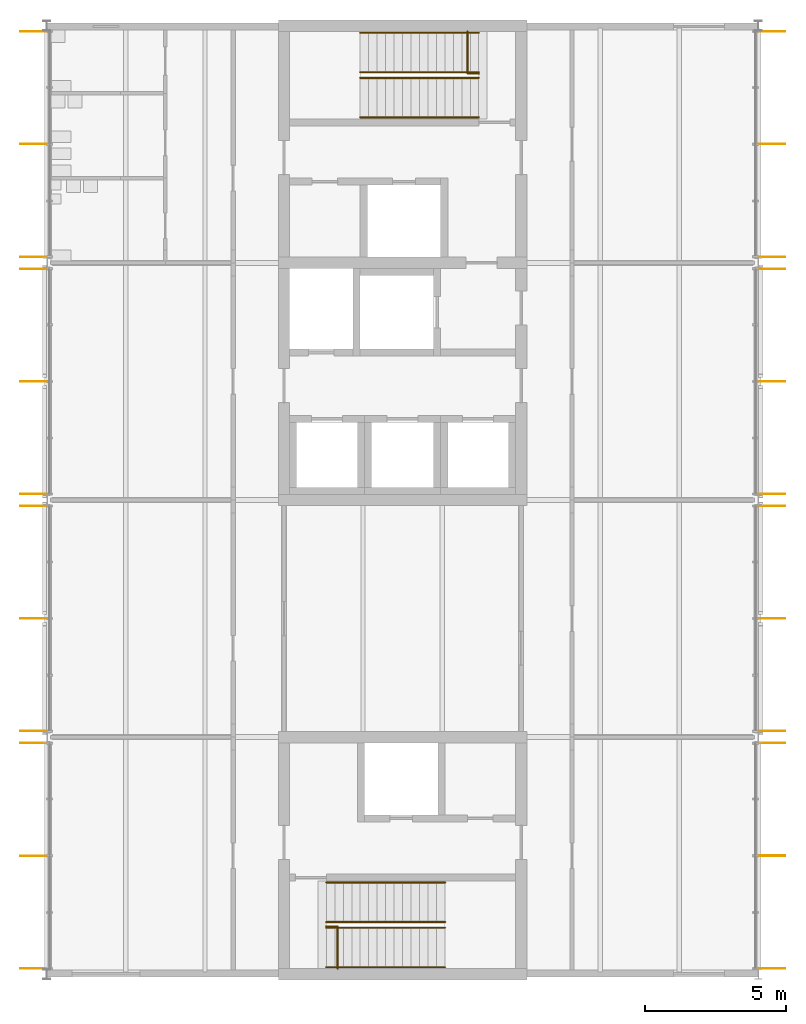
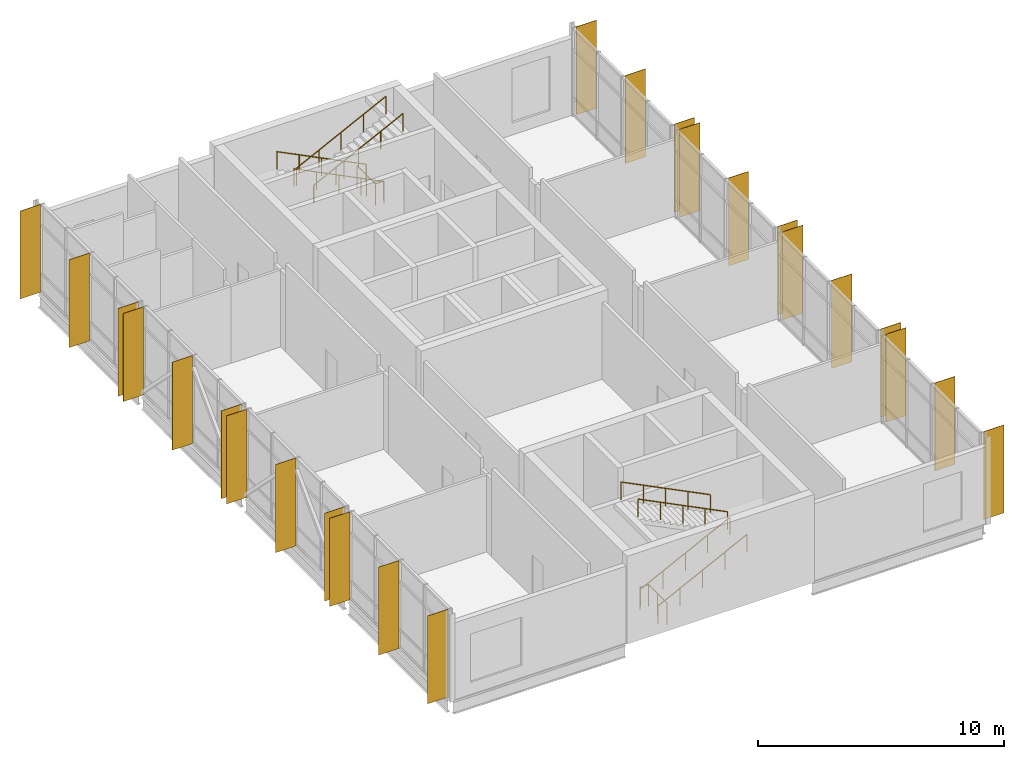
# One storey, part 16 of 17: 24 shading devices, 10 railings.
"""IFC4 building model written with IfcOpenShell, lengths in metres."""

from ifc_helpers import new_model, si_unit, direction, frame, origin, origin_2d, place, context, subcontext, project, spatial, rectangle, circle, extrude, material, layer, layer_set, type_object, element, save


model = new_model("IFC4")

# Units and contexts
model_context = context("Model", 3, precision=1e-05, world=origin(), true_north=direction((0.0, 1.0)))
body_context = subcontext(model_context, "Body", "Model", "MODEL_VIEW")
ifc_project = project(units=[si_unit("LENGTHUNIT", "METRE"), si_unit("AREAUNIT", "SQUARE_METRE"), si_unit("VOLUMEUNIT", "CUBIC_METRE"), si_unit("PLANEANGLEUNIT", "RADIAN"), si_unit("MASSUNIT", "GRAM", prefix="KILO")], contexts=[model_context])

# Site, building, storey
site_placement = place(None, origin())
site = spatial("IfcSite", under=ifc_project, at=site_placement, CompositionType="ELEMENT")
building_placement = place(site_placement, origin())
building = spatial("IfcBuilding", under=site, at=building_placement, Name="Hlaing Beacon Police Headquarters", CompositionType="ELEMENT")
storey_placement = place(building_placement, frame((0.0, 0.0, 36.89990234375)))
storey = spatial("IfcBuildingStorey", under=building, at=storey_placement, Name="L08", CompositionType="ELEMENT", Elevation=36.89990234375)

# Shading devices
ifc_material_1 = material(Name="Aluminium 6063-T5 anodised", Category="aluminium")
ifc_layer = layer(ifc_material_1, 0.02001953125)
ifc_layer_set = layer_set([ifc_layer], Name="Aluminium 6063-T5 anodised")
shading_device_type = type_object("IfcShadingDeviceType", Name="Aluminium fin 20x950", PredefinedType="JALOUSIE", material=ifc_layer_set)
for number, where, z_axis, x_axis, name in (
    (1, (126.47509765625, 33.8115234375, 0.0), (0.0, 0.0, 1.0), (0.0, 1.0, 0.0), "Fin L08 E001.0"),
    (2, (126.47509765625, 37.800048828125, 0.0), (0.0, 0.0, 1.0), (0.0, 1.0, 0.0), "Fin L08 E001.2"),
    (3, (126.47509765625, 41.788330078125, 0.0), (0.0, 0.0, 1.0), (0.0, 1.0, 0.0), "Fin L08 E001.4"),
    (4, (126.47509765625, 42.211669921875, 0.0), (0.0, 0.0, 1.0), (0.0, 1.0, 0.0), "Fin L08 E002.0"),
    (5, (126.47509765625, 46.199951171875, 0.0), (0.0, 0.0, 1.0), (0.0, 1.0, 0.0), "Fin L08 E002.2"),
    (6, (126.47509765625, 50.1884765625, 0.0), (0.0, 0.0, 1.0), (0.0, 1.0, 0.0), "Fin L08 E002.4"),
    (7, (126.47509765625, 50.611572265625, 0.0), (0.0, 0.0, 1.0), (0.0, 1.0, 0.0), "Fin L08 E003.0"),
    (8, (126.47509765625, 54.60009765625, 0.0), (0.0, 0.0, 1.0), (0.0, 1.0, 0.0), "Fin L08 E003.2"),
    (9, (126.47509765625, 58.58837890625, 0.0), (0.0, 0.0, 1.0), (0.0, 1.0, 0.0), "Fin L08 E003.4"),
    (10, (126.47509765625, 59.01171875, 0.0), (0.0, 0.0, 1.0), (0.0, 1.0, 0.0), "Fin L08 E004.0"),
    (11, (126.47509765625, 63.00244140625, 0.0), (0.0, 0.0, 1.0), (0.0, 1.0, 0.0), "Fin L08 E004.2"),
    (12, (126.47509765625, 66.993408203125, 0.0), (0.0, 0.0, 1.0), (0.0, 1.0, 0.0), "Fin L08 E004.4"),
    (13, (100.324951171875, 66.993408203125, 0.0), (0.0, 0.0, 1.0), (0.0, -1.0, 0.0), "Fin L08 W005.0"),
    (14, (100.324951171875, 63.00244140625, 0.0), (0.0, 0.0, 1.0), (0.0, -1.0, 0.0), "Fin L08 W005.2"),
    (15, (100.324951171875, 59.01171875, 0.0), (0.0, 0.0, 1.0), (0.0, -1.0, 0.0), "Fin L08 W005.4"),
    (16, (100.324951171875, 58.58837890625, 0.0), (0.0, 0.0, 1.0), (0.0, -1.0, 0.0), "Fin L08 W006.0"),
    (17, (100.324951171875, 54.60009765625, 0.0), (0.0, 0.0, 1.0), (0.0, -1.0, 0.0), "Fin L08 W006.2"),
    (18, (100.324951171875, 50.611572265625, 0.0), (0.0, 0.0, 1.0), (0.0, -1.0, 0.0), "Fin L08 W006.4"),
    (19, (100.324951171875, 50.1884765625, 0.0), (0.0, 0.0, 1.0), (0.0, -1.0, 0.0), "Fin L08 W007.0"),
    (20, (100.324951171875, 46.199951171875, 0.0), (0.0, 0.0, 1.0), (0.0, -1.0, 0.0), "Fin L08 W007.2"),
    (21, (100.324951171875, 42.211669921875, 0.0), (0.0, 0.0, 1.0), (0.0, -1.0, 0.0), "Fin L08 W007.4"),
    (22, (100.324951171875, 41.788330078125, 0.0), (0.0, 0.0, 1.0), (0.0, -1.0, 0.0), "Fin L08 W008.0"),
    (23, (100.324951171875, 37.79736328125, 0.0), (0.0, 0.0, 1.0), (0.0, -1.0, 0.0), "Fin L08 W008.2"),
    (24, (100.324951171875, 33.806396484375, 0.0), (0.0, 0.0, 1.0), (0.0, -1.0, 0.0), "Fin L08 W008.4"),
):
    element("IfcShadingDevice", number, at=place(storey_placement, frame(where, z_axis=z_axis, x_axis=x_axis)), inside=storey, type_object=shading_device_type, Name=name, PredefinedType="JALOUSIE", context=body_context, shape_type="SweptSolid", body=[
        extrude(rectangle(XDim=0.02001953125, YDim=0.949951171875, at=origin_2d()), origin(), (0.0, 0.0, 1.0), 4.3701171875),
    ])

# Railings
ifc_material_2 = material(Name="Stainless steel", Category="steel")
railing_type_1 = type_object("IfcRailingType", Name="Stair guard 1100", PredefinedType="GUARDRAIL", material=ifc_material_2)
railing_1_placement = place(storey_placement, frame((115.699951171875, 67.0, 0.0)))
element("IfcRailing", 25, at=railing_1_placement, inside=storey, type_object=railing_type_1, Name="Guard ST-M", PredefinedType="GUARDRAIL", context=body_context, shape_type="SweptSolid", body=[
    extrude(circle(Radius=0.02392578125, at=origin_2d()), frame((0.0, 0.0, 1.076171875), z_axis=(0.0, -1.0, 0.0), x_axis=(1.0, 0.0, 0.0)), (0.0, 0.0, 1.0), 1.5),
    extrude(circle(Radius=0.02392578125, at=origin_2d()), frame((0.0, -1.5, 1.076171875), z_axis=(1.0, 0.0, 0.0), x_axis=(0.0, 1.0, 0.0)), (0.0, 0.0, 1.0), 0.400146484375),
    extrude(circle(Radius=0.02099609375, at=origin_2d()), origin(), (0.0, 0.0, 1.0), 1.052001953125),
    extrude(circle(Radius=0.02099609375, at=origin_2d()), frame((0.0, -0.75, 0.0)), (0.0, 0.0, 1.0), 1.052001953125),
    extrude(circle(Radius=0.02099609375, at=origin_2d()), frame((0.0, -1.5, 0.0)), (0.0, 0.0, 1.0), 1.052001953125),
    extrude(circle(Radius=0.02099609375, at=origin_2d()), frame((0.400146484375, -1.5, 0.0)), (0.0, 0.0, 1.0), 1.052001953125),
])
railing_2_placement = place(storey_placement, frame((111.10009765625, 33.800048828125, 0.0)))
element("IfcRailing", 26, at=railing_2_placement, inside=storey, type_object=railing_type_1, Name="Guard ST-L", PredefinedType="GUARDRAIL", context=body_context, shape_type="SweptSolid", body=[
    extrude(circle(Radius=0.02392578125, at=origin_2d()), frame((0.0, 0.0, 1.076171875), z_axis=(0.0, 1.0, 0.0), x_axis=(-1.0, 0.0, 0.0)), (0.0, 0.0, 1.0), 1.5),
    extrude(circle(Radius=0.02392578125, at=origin_2d()), frame((0.0, 1.5, 1.076171875), z_axis=(-1.0, 0.0, 0.0), x_axis=(0.0, -1.0, 0.0)), (0.0, 0.0, 1.0), 0.400146484375),
    extrude(circle(Radius=0.02099609375, at=origin_2d()), origin(), (0.0, 0.0, 1.0), 1.052001953125),
    extrude(circle(Radius=0.02099609375, at=origin_2d()), frame((0.0, 0.75, 0.0)), (0.0, 0.0, 1.0), 1.052001953125),
    extrude(circle(Radius=0.02099609375, at=origin_2d()), frame((0.0, 1.5, 0.0)), (0.0, 0.0, 1.0), 1.052001953125),
    extrude(circle(Radius=0.02099609375, at=origin_2d()), frame((-0.400146484375, 1.5, 0.0)), (0.0, 0.0, 1.0), 1.052001953125),
])
ifc_material_3 = material(Name="Stainless steel", Category="steel")
railing_type_2 = type_object("IfcRailingType", Name="Stair handrail 900", PredefinedType="HANDRAIL", material=ifc_material_3)
for number, where, name in (
    (27, (116.10009765625, 66.949951171875, 0.150146484375), "Handrail ST-M"),
    (28, (116.10009765625, 65.550048828125, 0.150146484375), "Handrail ST-M"),
):
    element("IfcRailing", number, at=place(storey_placement, frame(where)), inside=storey, type_object=railing_type_2, Name=name, PredefinedType="HANDRAIL", context=body_context, shape_type="SweptSolid", body=[
        extrude(circle(Radius=0.02392578125, at=origin_2d()), frame((0.0, 0.0, 0.8759765625), z_axis=(-0.894447986312, 0.0, 0.447172002457), x_axis=(0.0, -1.0, 0.0)), (0.0, 0.0, 1.0), 4.69580078125),
        extrude(circle(Radius=0.02099609375, at=origin_2d()), origin(), (0.0, 0.0, 1.0), 0.851806640625),
        extrude(circle(Radius=0.02099609375, at=origin_2d()), frame((-1.050048828125, 0.0, 0.52490234375)), (0.0, 0.0, 1.0), 0.851806640625),
        extrude(circle(Radius=0.02099609375, at=origin_2d()), frame((-2.10009765625, 0.0, 1.0498046875)), (0.0, 0.0, 1.0), 0.851806640625),
        extrude(circle(Radius=0.02099609375, at=origin_2d()), frame((-3.150146484375, 0.0, 1.574951171875)), (0.0, 0.0, 1.0), 0.851806640625),
        extrude(circle(Radius=0.02099609375, at=origin_2d()), frame((-4.2001953125, 0.0, 2.099853515625)), (0.0, 0.0, 1.0), 0.851806640625),
    ])
for number, where, name in (
    (29, (111.89990234375, 65.35009765625, 2.400146484375), "Handrail ST-M"),
    (30, (111.89990234375, 63.949951171875, 2.400146484375), "Handrail ST-M"),
):
    element("IfcRailing", number, at=place(storey_placement, frame(where)), inside=storey, type_object=railing_type_2, Name=name, PredefinedType="HANDRAIL", context=body_context, shape_type="SweptSolid", body=[
        extrude(circle(Radius=0.02392578125, at=origin_2d()), frame((0.0, 0.0, 0.8759765625), z_axis=(0.894447986312, 0.0, 0.447172002457), x_axis=(0.0, 1.0, 0.0)), (0.0, 0.0, 1.0), 4.69580078125),
        extrude(circle(Radius=0.02099609375, at=origin_2d()), origin(), (0.0, 0.0, 1.0), 0.851806640625),
        extrude(circle(Radius=0.02099609375, at=origin_2d()), frame((1.050048828125, 0.0, 0.52490234375)), (0.0, 0.0, 1.0), 0.851806640625),
        extrude(circle(Radius=0.02099609375, at=origin_2d()), frame((2.10009765625, 0.0, 1.0498046875)), (0.0, 0.0, 1.0), 0.851806640625),
        extrude(circle(Radius=0.02099609375, at=origin_2d()), frame((3.150146484375, 0.0, 1.574951171875)), (0.0, 0.0, 1.0), 0.851806640625),
        extrude(circle(Radius=0.02099609375, at=origin_2d()), frame((4.2001953125, 0.0, 2.099853515625)), (0.0, 0.0, 1.0), 0.851806640625),
    ])
for number, where, name in (
    (31, (110.699951171875, 33.85009765625, 0.150146484375), "Handrail ST-L"),
    (32, (110.699951171875, 35.25, 0.150146484375), "Handrail ST-L"),
):
    element("IfcRailing", number, at=place(storey_placement, frame(where)), inside=storey, type_object=railing_type_2, Name=name, PredefinedType="HANDRAIL", context=body_context, shape_type="SweptSolid", body=[
        extrude(circle(Radius=0.02392578125, at=origin_2d()), frame((0.0, 0.0, 0.8759765625), z_axis=(0.894437589381, 0.0, 0.447192798132), x_axis=(0.0, 1.0, 0.0)), (0.0, 0.0, 1.0), 4.695556640625),
        extrude(circle(Radius=0.02099609375, at=origin_2d()), origin(), (0.0, 0.0, 1.0), 0.851806640625),
        extrude(circle(Radius=0.02099609375, at=origin_2d()), frame((1.050048828125, 0.0, 0.52490234375)), (0.0, 0.0, 1.0), 0.851806640625),
        extrude(circle(Radius=0.02099609375, at=origin_2d()), frame((2.10009765625, 0.0, 1.0498046875)), (0.0, 0.0, 1.0), 0.851806640625),
        extrude(circle(Radius=0.02099609375, at=origin_2d()), frame((3.14990234375, 0.0, 1.574951171875)), (0.0, 0.0, 1.0), 0.851806640625),
        extrude(circle(Radius=0.02099609375, at=origin_2d()), frame((4.199951171875, 0.0, 2.099853515625)), (0.0, 0.0, 1.0), 0.851806640625),
    ])
for number, where, name in (
    (33, (114.89990234375, 35.449951171875, 2.400146484375), "Handrail ST-L"),
    (34, (114.89990234375, 36.85009765625, 2.400146484375), "Handrail ST-L"),
):
    element("IfcRailing", number, at=place(storey_placement, frame(where)), inside=storey, type_object=railing_type_2, Name=name, PredefinedType="HANDRAIL", context=body_context, shape_type="SweptSolid", body=[
        extrude(circle(Radius=0.02392578125, at=origin_2d()), frame((0.0, 0.0, 0.8759765625), z_axis=(-0.894437589381, 0.0, 0.447192798132), x_axis=(0.0, -1.0, 0.0)), (0.0, 0.0, 1.0), 4.695556640625),
        extrude(circle(Radius=0.02099609375, at=origin_2d()), origin(), (0.0, 0.0, 1.0), 0.851806640625),
        extrude(circle(Radius=0.02099609375, at=origin_2d()), frame((-1.050048828125, 0.0, 0.52490234375)), (0.0, 0.0, 1.0), 0.851806640625),
        extrude(circle(Radius=0.02099609375, at=origin_2d()), frame((-2.10009765625, 0.0, 1.0498046875)), (0.0, 0.0, 1.0), 0.851806640625),
        extrude(circle(Radius=0.02099609375, at=origin_2d()), frame((-3.14990234375, 0.0, 1.574951171875)), (0.0, 0.0, 1.0), 0.851806640625),
        extrude(circle(Radius=0.02099609375, at=origin_2d()), frame((-4.199951171875, 0.0, 2.099853515625)), (0.0, 0.0, 1.0), 0.851806640625),
    ])

save(model, "model.ifc")
